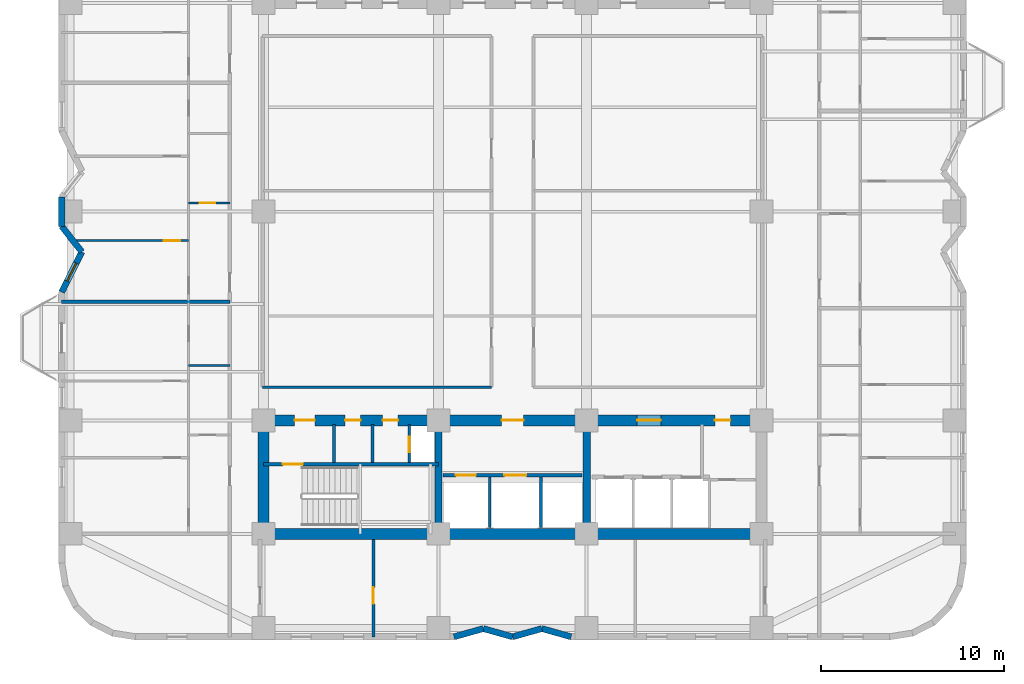
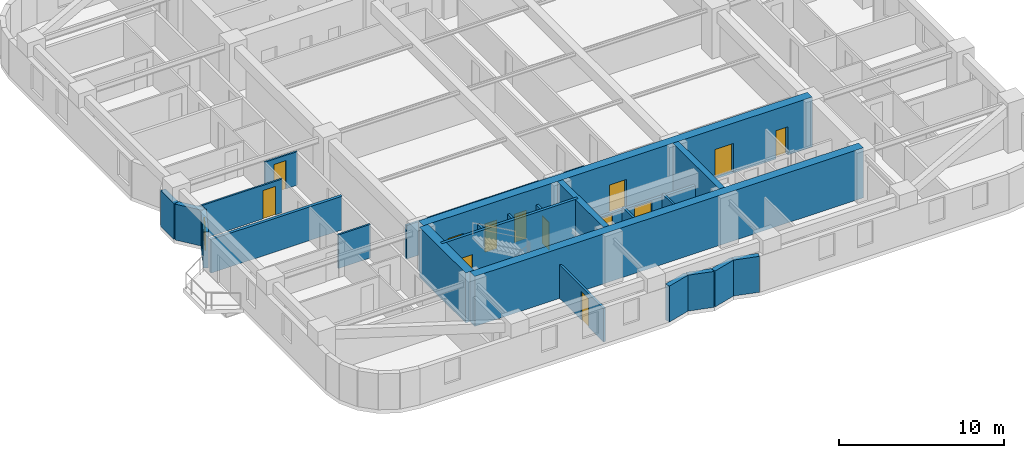
# One storey, part 3 of 10: 25 walls, 13 doors, 1 window, 14 openings.
"""IFC4 building model written with IfcOpenShell, lengths in metres."""

from ifc_helpers import new_model, si_unit, direction, frame, frame_2d, origin, place, context, subcontext, project, spatial, rectangle, extrude, material, layer, layer_set, type_object, element, fill, save


model = new_model("IFC4")

# Units and contexts
model_context = context("Model", 3, precision=1e-05, world=origin(), true_north=direction((0.0, 1.0)))
body_context = subcontext(model_context, "Body", "Model", "MODEL_VIEW")
ifc_project = project(units=[si_unit("LENGTHUNIT", "METRE"), si_unit("AREAUNIT", "SQUARE_METRE"), si_unit("VOLUMEUNIT", "CUBIC_METRE"), si_unit("PLANEANGLEUNIT", "RADIAN"), si_unit("MASSUNIT", "GRAM", prefix="KILO")], contexts=[model_context])

# Site, building, storey
site_placement = place(None, origin())
site = spatial("IfcSite", under=ifc_project, at=site_placement, CompositionType="ELEMENT")
building_placement = place(site_placement, origin())
building = spatial("IfcBuilding", under=site, at=building_placement, Name="Svetorya Sky Lyceum", CompositionType="ELEMENT")
storey_placement = place(building_placement, frame((0.0, 0.0, 73.199951171875)))
storey = spatial("IfcBuildingStorey", under=building, at=storey_placement, Name="L18", CompositionType="ELEMENT", Elevation=73.199951171875)

# Walls
ifc_material_1 = material(Name="Concrete C40/50", Category="concrete")
ifc_layer_1 = layer(ifc_material_1, 0.39990234375)
ifc_layer_set_1 = layer_set([ifc_layer_1], Name="Concrete C40/50")
wall_type_1 = type_object("IfcWallType", Name="WL-CORE-400", PredefinedType="SHEAR", material=ifc_layer_set_1)
for number, where, z_axis, x_axis, name in (
    (1, (35.14990234375, 10.89990234375, 0.0), (0.0, 0.0, 1.0), (0.0, 1.0, 0.0), "L18 SC Internal Shear Web WEB1"),
    (2, (43.25, 10.89990234375, 0.0), (0.0, 0.0, 1.0), (0.0, 1.0, 0.0), "L18 SC Internal Shear Web WEB2"),
):
    element("IfcWall", number, at=place(storey_placement, frame(where, z_axis=z_axis, x_axis=x_axis)), inside=storey, type_object=wall_type_1, Name=name, PredefinedType="SHEAR", context=body_context, shape_type="SweptSolid", body=[
        extrude(rectangle(XDim=5.60009765625, YDim=0.39990234375, at=frame_2d((2.800048828125, 0.0))), origin(), (0.0, 0.0, 1.0), 3.699951171875),
    ])
ifc_material_2 = material(Name="Concrete C60/75", Category="concrete")
ifc_layer_2 = layer(ifc_material_2, 0.60009765625)
ifc_layer_set_2 = layer_set([ifc_layer_2], Name="Concrete C60/75")
wall_type_2 = type_object("IfcWallType", Name="WL-CORE-600", PredefinedType="SHEAR", material=ifc_layer_set_2)
wall_1_placement = place(storey_placement, frame((52.800048828125, 10.60009765625, 0.0), z_axis=(0.0, 0.0, 1.0), x_axis=(-1.0, 0.0, 0.0)))
element("IfcWall", 3, at=wall_1_placement, inside=storey, type_object=wall_type_2, Name="L18 SC Outer Core Shear Wall", PredefinedType="SHEAR", context=body_context, shape_type="SweptSolid", body=[
    extrude(rectangle(XDim=27.199951171875, YDim=0.60009765625, at=frame_2d((13.60009765625, 0.0))), origin(), (0.0, 0.0, 1.0), 3.699951171875),
])
wall_2_placement = place(storey_placement, frame((25.60009765625, 10.89990234375, 0.0), z_axis=(0.0, 0.0, 1.0), x_axis=(0.0, 1.0, 0.0)))
element("IfcWall", 4, at=wall_2_placement, inside=storey, type_object=wall_type_2, Name="L18 SC West Core Shear Wall", PredefinedType="SHEAR", context=body_context, shape_type="SweptSolid", body=[
    extrude(rectangle(XDim=5.60009765625, YDim=0.60009765625, at=frame_2d((2.800048828125, 0.0))), origin(), (0.0, 0.0, 1.0), 3.699951171875),
])

# Wall, openings, doors
wall_3_placement = place(storey_placement, frame((25.60009765625, 16.800048828125, 0.0), z_axis=(0.0, 0.0, 1.0), x_axis=(1.0, 0.0, 0.0)))
wall_3 = element("IfcWall", 5, at=wall_3_placement, inside=storey, type_object=wall_type_2, Name="L18 SC Inner Core Shear Wall", PredefinedType="SHEAR", context=body_context, shape_type="SweptSolid", body=[
    extrude(rectangle(XDim=27.199951171875, YDim=0.60009765625, at=frame_2d((13.60009765625, 0.0))), origin(), (0.0, 0.0, 1.0), 3.699951171875),
])
opening_1_placement = place(wall_3_placement, frame((1.699951171875, 0.0, 0.0)))
opening_1 = element("IfcOpeningElement", 6, at=opening_1_placement, cuts=wall_3, Name="Opening D-ST1", PredefinedType="OPENING", context=body_context, shape_type="SweptSolid", body=[
    extrude(rectangle(XDim=1.10009765625, YDim=2.14990234375, at=frame_2d((0.550048828125, 1.074951171875))), frame((0.0, 0.31005859375, 0.0), z_axis=(0.0, -1.0, 0.0), x_axis=(1.0, 0.0, 0.0)), (0.0, 0.0, 1.0), 0.6201171875),
])
opening_2_placement = place(wall_3_placement, frame((4.449951171875, 0.0, 0.0)))
opening_2 = element("IfcOpeningElement", 7, at=opening_2_placement, cuts=wall_3, Name="Opening D-CWC1", PredefinedType="OPENING", context=body_context, shape_type="SweptSolid", body=[
    extrude(rectangle(XDim=0.85009765625, YDim=2.10009765625, at=frame_2d((0.425048828125, 1.050048828125))), frame((0.0, 0.31005859375, 0.0), z_axis=(0.0, -1.0, 0.0), x_axis=(1.0, 0.0, 0.0)), (0.0, 0.0, 1.0), 0.6201171875),
])
opening_3_placement = place(wall_3_placement, frame((6.5, 0.0, 0.0)))
opening_3 = element("IfcOpeningElement", 8, at=opening_3_placement, cuts=wall_3, Name="Opening D-CWC1", PredefinedType="OPENING", context=body_context, shape_type="SweptSolid", body=[
    extrude(rectangle(XDim=0.85009765625, YDim=2.10009765625, at=frame_2d((0.425048828125, 1.050048828125))), frame((0.0, 0.31005859375, 0.0), z_axis=(0.0, -1.0, 0.0), x_axis=(1.0, 0.0, 0.0)), (0.0, 0.0, 1.0), 0.6201171875),
])
opening_4_placement = place(wall_3_placement, frame((13.0, 0.0, 0.0)))
opening_4 = element("IfcOpeningElement", 9, at=opening_4_placement, cuts=wall_3, Name="Opening D-FL1", PredefinedType="OPENING", context=body_context, shape_type="SweptSolid", body=[
    extrude(rectangle(XDim=1.199951171875, YDim=2.14990234375, at=frame_2d((0.60009765625, 1.074951171875))), frame((0.0, 0.31005859375, 0.0), z_axis=(0.0, -1.0, 0.0), x_axis=(1.0, 0.0, 0.0)), (0.0, 0.0, 1.0), 0.6201171875),
])
opening_5_placement = place(wall_3_placement, frame((20.39990234375, 0.0, 0.0)))
opening_5 = element("IfcOpeningElement", 10, at=opening_5_placement, cuts=wall_3, Name="Opening D-LB1", PredefinedType="OPENING", context=body_context, shape_type="SweptSolid", body=[
    extrude(rectangle(XDim=1.300048828125, YDim=2.199951171875, at=frame_2d((0.64990234375, 1.10009765625))), frame((0.0, 0.31005859375, 0.0), z_axis=(0.0, -1.0, 0.0), x_axis=(1.0, 0.0, 0.0)), (0.0, 0.0, 1.0), 0.6201171875),
])
opening_6_placement = place(wall_3_placement, frame((24.64990234375, 0.0, 0.0)))
opening_6 = element("IfcOpeningElement", 11, at=opening_6_placement, cuts=wall_3, Name="Opening D-CWC1", PredefinedType="OPENING", context=body_context, shape_type="SweptSolid", body=[
    extrude(rectangle(XDim=0.85009765625, YDim=2.10009765625, at=frame_2d((0.425048828125, 1.050048828125))), frame((0.0, 0.31005859375, 0.0), z_axis=(0.0, -1.0, 0.0), x_axis=(1.0, 0.0, 0.0)), (0.0, 0.0, 1.0), 0.6201171875),
])
ifc_material_3 = material(Name="Fire-rated galvanized steel core service closet door", Category="steel")
door_type_1 = type_object("IfcDoorType", Name="DR-CWET-850", OperationType="SINGLE_SWING_LEFT", PredefinedType="DOOR", material=ifc_material_3)
door_1_placement = place(opening_2_placement, origin())
door_1 = element("IfcDoor", 12, at=door_1_placement, inside=storey, type_object=door_type_1, Name="L18 South Mop Closet Door", OperationType="SINGLE_SWING_LEFT", OverallHeight=2.10009765625, OverallWidth=0.85009765625, PredefinedType="DOOR", context=body_context, shape_type="SweptSolid", body=[
    extrude(rectangle(XDim=0.85009765625, YDim=2.10009765625, at=frame_2d((0.425048828125, 1.050048828125))), frame((0.0, 0.02490234375, 0.0), z_axis=(0.0, -1.0, 0.0), x_axis=(1.0, 0.0, 0.0)), (0.0, 0.0, 1.0), 0.050048828125),
])
fill(opening_2, door_1)
door_2_placement = place(opening_3_placement, origin())
door_2 = element("IfcDoor", 13, at=door_2_placement, inside=storey, type_object=door_type_1, Name="L18 South West WC Door", OperationType="SINGLE_SWING_RIGHT", OverallHeight=2.10009765625, OverallWidth=0.85009765625, PredefinedType="DOOR", context=body_context, shape_type="SweptSolid", body=[
    extrude(rectangle(XDim=0.85009765625, YDim=2.10009765625, at=frame_2d((0.425048828125, 1.050048828125))), frame((0.0, 0.02490234375, 0.0), z_axis=(0.0, -1.0, 0.0), x_axis=(1.0, 0.0, 0.0)), (0.0, 0.0, 1.0), 0.050048828125),
])
fill(opening_3, door_2)
door_3_placement = place(opening_6_placement, origin())
door_3 = element("IfcDoor", 14, at=door_3_placement, inside=storey, type_object=door_type_1, Name="L18 South Core Auxiliary Door", OperationType="SINGLE_SWING_LEFT", OverallHeight=2.10009765625, OverallWidth=0.85009765625, PredefinedType="DOOR", context=body_context, shape_type="SweptSolid", body=[
    extrude(rectangle(XDim=0.85009765625, YDim=2.10009765625, at=frame_2d((0.425048828125, 1.050048828125))), frame((0.0, 0.02490234375, 0.0), z_axis=(0.0, -1.0, 0.0), x_axis=(1.0, 0.0, 0.0)), (0.0, 0.0, 1.0), 0.050048828125),
])
fill(opening_6, door_3)
ifc_material_4 = material(Name="Powder-coated insulated galvanized stair fire door")
door_type_2 = type_object("IfcDoorType", Name="DR-FIRE-1100", OperationType="SINGLE_SWING_LEFT", PredefinedType="DOOR", material=ifc_material_4)
door_4_placement = place(opening_1_placement, origin())
door_4 = element("IfcDoor", 15, at=door_4_placement, inside=storey, type_object=door_type_2, Name="L18 South Stair Airlock Door", OperationType="SINGLE_SWING_RIGHT", OverallHeight=2.14990234375, OverallWidth=1.10009765625, PredefinedType="DOOR", context=body_context, shape_type="SweptSolid", body=[
    extrude(rectangle(XDim=1.10009765625, YDim=2.14990234375, at=frame_2d((0.550048828125, 1.074951171875))), frame((0.0, 0.02490234375, 0.0), z_axis=(0.0, -1.0, 0.0), x_axis=(1.0, 0.0, 0.0)), (0.0, 0.0, 1.0), 0.050048828125),
])
fill(opening_1, door_4)
ifc_material_5 = material(Name="Powder-coated insulated galvanized fire door")
door_type_3 = type_object("IfcDoorType", Name="DR-FIRE-1200", OperationType="SINGLE_SWING_LEFT", PredefinedType="DOOR", material=ifc_material_5)
door_5_placement = place(opening_4_placement, origin())
door_5 = element("IfcDoor", 16, at=door_5_placement, inside=storey, type_object=door_type_3, Name="L18 South Firefighting Lift Lobby Door", OperationType="SINGLE_SWING_LEFT", OverallHeight=2.14990234375, OverallWidth=1.199951171875, PredefinedType="DOOR", context=body_context, shape_type="SweptSolid", body=[
    extrude(rectangle(XDim=1.199951171875, YDim=2.14990234375, at=frame_2d((0.60009765625, 1.074951171875))), frame((0.0, 0.02490234375, 0.0), z_axis=(0.0, -1.0, 0.0), x_axis=(1.0, 0.0, 0.0)), (0.0, 0.0, 1.0), 0.050048828125),
])
fill(opening_4, door_5)
ifc_material_6 = material(Name="Glazed fire-rated aluminium lobby door", Category="aluminium")
door_type_4 = type_object("IfcDoorType", Name="DR-LOB-1300", OperationType="SINGLE_SWING_LEFT", PredefinedType="DOOR", material=ifc_material_6)
door_6_placement = place(opening_5_placement, origin())
door_6 = element("IfcDoor", 17, at=door_6_placement, inside=storey, type_object=door_type_4, Name="L18 Low-Rise Lift Lobby Door", OperationType="SINGLE_SWING_RIGHT", OverallHeight=2.199951171875, OverallWidth=1.300048828125, PredefinedType="DOOR", context=body_context, shape_type="SweptSolid", body=[
    extrude(rectangle(XDim=1.300048828125, YDim=2.199951171875, at=frame_2d((0.64990234375, 1.10009765625))), frame((0.0, 0.02490234375, 0.0), z_axis=(0.0, -1.0, 0.0), x_axis=(1.0, 0.0, 0.0)), (0.0, 0.0, 1.0), 0.050048828125),
])
fill(opening_5, door_6)

# Walls
ifc_material_7 = material(Name="Putilovo limestone rainscreen on autoclaved cellular masonry", Category="masonry")
ifc_layer_3 = layer(ifc_material_7, 0.340087890625)
ifc_layer_set_3 = layer_set([ifc_layer_3], Name="Putilovo limestone rainscreen on autoclaved cellular masonry")
wall_type_3 = type_object("IfcWallType", Name="WL-EXT-340", PredefinedType="SOLIDWALL", material=ifc_layer_set_3)
wall_4_placement = place(storey_placement, frame((36.0, 4.969970703125, 0.0), z_axis=(0.0, 0.0, 1.0), x_axis=(0.962662902433, 0.270703040766, 0.0)))
element("IfcWall", 18, at=wall_4_placement, inside=storey, type_object=wall_type_3, Name="L18 Limestone Exterior Wall 7M", PredefinedType="SOLIDWALL", context=body_context, shape_type="SweptSolid", body=[
    extrude(rectangle(XDim=1.662109375, YDim=0.340087890625, at=frame_2d((0.8310546875, 0.0))), origin(), (0.0, 0.0, 1.0), 2.66015625),
])
wall_5_placement = place(storey_placement, frame((37.60009765625, 5.419921875, 0.0), z_axis=(0.0, 0.0, 1.0), x_axis=(0.962652136636, -0.270741322725, 0.0)))
element("IfcWall", 19, at=wall_5_placement, inside=storey, type_object=wall_type_3, Name="L18 Limestone Exterior Wall 8M", PredefinedType="SOLIDWALL", context=body_context, shape_type="SweptSolid", body=[
    extrude(rectangle(XDim=1.661865234375, YDim=0.340087890625, at=frame_2d((0.8310546875, 0.0))), origin(), (0.0, 0.0, 1.0), 2.66015625),
])
wall_6_placement = place(storey_placement, frame((39.199951171875, 4.969970703125, 0.0), z_axis=(0.0, 0.0, 1.0), x_axis=(0.962662902433, 0.270703040766, 0.0)))
element("IfcWall", 20, at=wall_6_placement, inside=storey, type_object=wall_type_3, Name="L18 Limestone Exterior Wall 9M", PredefinedType="SOLIDWALL", context=body_context, shape_type="SweptSolid", body=[
    extrude(rectangle(XDim=1.662109375, YDim=0.340087890625, at=frame_2d((0.8310546875, 0.0))), origin(), (0.0, 0.0, 1.0), 2.66015625),
])
wall_7_placement = place(storey_placement, frame((40.800048828125, 5.419921875, 0.0), z_axis=(0.0, 0.0, 1.0), x_axis=(0.962652136636, -0.270741322725, 0.0)))
element("IfcWall", 21, at=wall_7_placement, inside=storey, type_object=wall_type_3, Name="L18 Limestone Exterior Wall 10M", PredefinedType="SOLIDWALL", context=body_context, shape_type="SweptSolid", body=[
    extrude(rectangle(XDim=1.661865234375, YDim=0.340087890625, at=frame_2d((0.8310546875, 0.0))), origin(), (0.0, 0.0, 1.0), 2.66015625),
])
wall_8_placement = place(storey_placement, frame((14.570068359375, 29.0, 0.0), z_axis=(0.0, 0.0, 1.0), x_axis=(0.0, -1.0, 0.0)))
element("IfcWall", 22, at=wall_8_placement, inside=storey, type_object=wall_type_3, Name="L18 Limestone Exterior Wall 43M", PredefinedType="SOLIDWALL", context=body_context, shape_type="SweptSolid", body=[
    extrude(rectangle(XDim=1.60009765625, YDim=0.340087890625, at=frame_2d((0.800048828125, 0.0))), origin(), (0.0, 0.0, 1.0), 2.66015625),
])
wall_9_placement = place(storey_placement, frame((14.570068359375, 27.39990234375, 0.0), z_axis=(0.0, 0.0, 1.0), x_axis=(0.617797325735, -0.786337373088, 0.0)))
element("IfcWall", 23, at=wall_9_placement, inside=storey, type_object=wall_type_3, Name="L18 Limestone Exterior Wall 44M", PredefinedType="SOLIDWALL", context=body_context, shape_type="SweptSolid", body=[
    extrude(rectangle(XDim=1.7802734375, YDim=0.340087890625, at=frame_2d((0.89013671875, 0.0))), origin(), (0.0, 0.0, 1.0), 2.66015625),
])

# Wall, opening, window
wall_10_placement = place(storey_placement, frame((15.669921875, 26.0, 0.0), z_axis=(0.0, 0.0, 1.0), x_axis=(-0.447173890385, -0.894447042456, 0.0)))
wall_10 = element("IfcWall", 24, at=wall_10_placement, inside=storey, type_object=wall_type_3, Name="L18 Limestone Exterior Wall 45M", PredefinedType="SOLIDWALL", context=body_context, shape_type="SweptSolid", body=[
    extrude(rectangle(XDim=2.45947265625, YDim=0.340087890625, at=frame_2d((1.229736328125, 0.0))), origin(), (0.0, 0.0, 1.0), 2.66015625),
])
opening_7_placement = place(wall_10_placement, frame((0.6796875, 0.0, 0.85009765625)))
opening_7 = element("IfcOpeningElement", 25, at=opening_7_placement, cuts=wall_10, Name="Opening W-R3", PredefinedType="OPENING", context=body_context, shape_type="SweptSolid", body=[
    extrude(rectangle(XDim=1.10009765625, YDim=1.64990234375, at=frame_2d((0.550048828125, 0.824951171875))), frame((0.0, 0.179931640625, 0.0), z_axis=(0.0, -1.0, 0.0), x_axis=(1.0, 0.0, 0.0)), (0.0, 0.0, 1.0), 0.360107421875),
])
ifc_material_8 = material(Name="Thermally broken aluminium frame with triple low-E glazing", Category="aluminium")
window_type = type_object("IfcWindowType", Name="WN-RES-110", PartitioningType="SINGLE_PANEL", PredefinedType="WINDOW", material=ifc_material_8)
window_placement = place(opening_7_placement, origin())
window = element("IfcWindow", 26, at=window_placement, inside=storey, type_object=window_type, Name="L18 Facade Window W-R3.45M.1", OverallHeight=1.64990234375, OverallWidth=1.10009765625, PartitioningType="SINGLE_PANEL", PredefinedType="WINDOW", context=body_context, shape_type="SweptSolid", body=[
    extrude(rectangle(XDim=1.10009765625, YDim=1.64990234375, at=frame_2d((0.550048828125, 0.824951171875))), frame((0.0, 0.030029296875, 0.0), z_axis=(0.0, -1.0, 0.0), x_axis=(1.0, 0.0, 0.0)), (0.0, 0.0, 1.0), 0.06005859375),
])
fill(opening_7, window)

# Wall
ifc_material_9 = material(Name="Twin-stud galvanized framing with double fireboard", Category="gypsum")
ifc_layer_4 = layer(ifc_material_9, 0.1201171875)
ifc_layer_set_4 = layer_set([ifc_layer_4], Name="Twin-stud galvanized framing with double fireboard")
wall_type_4 = type_object("IfcWallType", Name="WL-PART-120", PredefinedType="PARTITIONING", material=ifc_layer_set_4)
wall_11_placement = place(storey_placement, frame((21.5, 19.800048828125, 0.0), z_axis=(0.0, 0.0, 1.0), x_axis=(1.0, 0.0, 0.0)))
element("IfcWall", 27, at=wall_11_placement, inside=storey, type_object=wall_type_4, Name="L18 Interior Partition W1-WH2", PredefinedType="PARTITIONING", context=body_context, shape_type="SweptSolid", body=[
    extrude(rectangle(XDim=2.25, YDim=0.1201171875, at=frame_2d((1.125, 0.0))), origin(), (0.0, 0.0, 1.0), 2.489990234375),
])

# Wall, opening, door
wall_12_placement = place(storey_placement, frame((21.5, 28.672119140625, 0.0), z_axis=(0.0, 0.0, 1.0), x_axis=(1.0, 0.0, 0.0)))
wall_12 = element("IfcWall", 28, at=wall_12_placement, inside=storey, type_object=wall_type_4, Name="L18 Interior Partition W2-WH1", PredefinedType="PARTITIONING", context=body_context, shape_type="SweptSolid", body=[
    extrude(rectangle(XDim=2.25, YDim=0.1201171875, at=frame_2d((1.125, 0.0))), origin(), (0.0, 0.0, 1.0), 2.489990234375),
])
opening_8_placement = place(wall_12_placement, frame((0.60009765625, 0.0, 0.0)))
opening_8 = element("IfcOpeningElement", 29, at=opening_8_placement, cuts=wall_12, Name="Opening D-BT1", PredefinedType="OPENING", context=body_context, shape_type="SweptSolid", body=[
    extrude(rectangle(XDim=0.85009765625, YDim=2.10009765625, at=frame_2d((0.425048828125, 1.050048828125))), frame((0.0, 0.070068359375, 0.0), z_axis=(0.0, -1.0, 0.0), x_axis=(1.0, 0.0, 0.0)), (0.0, 0.0, 1.0), 0.14013671875),
])
ifc_material_10 = material(Name="Moisture-resistant laminate bathroom door")
door_type_5 = type_object("IfcDoorType", Name="DR-WET-850", OperationType="SINGLE_SWING_LEFT", PredefinedType="DOOR", material=ifc_material_10)
door_7_placement = place(opening_8_placement, origin())
door_7 = element("IfcDoor", 30, at=door_7_placement, inside=storey, type_object=door_type_5, Name="Apartment W2 Bathroom Door", OperationType="SINGLE_SWING_RIGHT", OverallHeight=2.10009765625, OverallWidth=0.85009765625, PredefinedType="DOOR", context=body_context, shape_type="SweptSolid", body=[
    extrude(rectangle(XDim=0.85009765625, YDim=2.10009765625, at=frame_2d((0.425048828125, 1.050048828125))), frame((0.0, 0.02490234375, 0.0), z_axis=(0.0, -1.0, 0.0), x_axis=(1.0, 0.0, 0.0)), (0.0, 0.0, 1.0), 0.050048828125),
])
fill(opening_8, door_7)

wall_13_placement = place(storey_placement, frame((15.181396484375, 26.6220703125, 0.0), z_axis=(0.0, 0.0, 1.0), x_axis=(1.0, 0.0, 0.0)))
wall_13 = element("IfcWall", 31, at=wall_13_placement, inside=storey, type_object=wall_type_4, Name="L18 Interior Partition W2-WL1", PredefinedType="PARTITIONING", context=body_context, shape_type="SweptSolid", body=[
    extrude(rectangle(XDim=6.318603515625, YDim=0.1201171875, at=frame_2d((3.1591796875, 0.0))), origin(), (0.0, 0.0, 1.0), 2.489990234375),
])
opening_9_placement = place(wall_13_placement, frame((4.96875, 0.0, 0.0)))
opening_9 = element("IfcOpeningElement", 32, at=opening_9_placement, cuts=wall_13, Name="Opening D-RM1", PredefinedType="OPENING", context=body_context, shape_type="SweptSolid", body=[
    extrude(rectangle(XDim=0.89990234375, YDim=2.10009765625, at=frame_2d((0.449951171875, 1.050048828125))), frame((0.0, 0.070068359375, 0.0), z_axis=(0.0, -1.0, 0.0), x_axis=(1.0, 0.0, 0.0)), (0.0, 0.0, 1.0), 0.14013671875),
])
ifc_material_11 = material(Name="Lacquered birch veneer internal door")
door_type_6 = type_object("IfcDoorType", Name="DR-INT-900", OperationType="SINGLE_SWING_LEFT", PredefinedType="DOOR", material=ifc_material_11)
door_8_placement = place(opening_9_placement, origin())
door_8 = element("IfcDoor", 33, at=door_8_placement, inside=storey, type_object=door_type_6, Name="Apartment W2 Master Bedroom Door", OperationType="SINGLE_SWING_RIGHT", OverallHeight=2.10009765625, OverallWidth=0.89990234375, PredefinedType="DOOR", context=body_context, shape_type="SweptSolid", body=[
    extrude(rectangle(XDim=0.89990234375, YDim=2.10009765625, at=frame_2d((0.449951171875, 1.050048828125))), frame((0.0, 0.02490234375, 0.0), z_axis=(0.0, -1.0, 0.0), x_axis=(1.0, 0.0, 0.0)), (0.0, 0.0, 1.0), 0.050048828125),
])
fill(opening_9, door_8)

# Walls
ifc_material_12 = material(Name="Autoclaved cellular masonry blockwork with acoustic render", Category="masonry")
ifc_layer_5 = layer(ifc_material_12, 0.14990234375)
ifc_layer_set_5 = layer_set([ifc_layer_5], Name="Autoclaved cellular masonry blockwork with acoustic render")
wall_type_5 = type_object("IfcWallType", Name="WL-PART-150", PredefinedType="PARTITIONING", material=ifc_layer_set_5)
for number, where, z_axis, x_axis, name in (
    (34, (29.449951171875, 14.5, 0.0), (0.0, 0.0, 1.0), (0.0, 1.0, 0.0), "L18 Interior Partition SC-SWD1"),
    (35, (31.550048828125, 14.5, 0.0), (0.0, 0.0, 1.0), (0.0, 1.0, 0.0), "L18 Interior Partition SC-SWD2"),
):
    element("IfcWall", number, at=place(storey_placement, frame(where, z_axis=z_axis, x_axis=x_axis)), inside=storey, type_object=wall_type_5, Name=name, PredefinedType="PARTITIONING", context=body_context, shape_type="SweptSolid", body=[
        extrude(rectangle(XDim=2.080078125, YDim=0.14990234375, at=frame_2d((1.0400390625, 0.0))), origin(), (0.0, 0.0, 1.0), 2.489990234375),
    ])

# Wall, opening, door
wall_14_placement = place(storey_placement, frame((33.550048828125, 14.5, 0.0), z_axis=(0.0, 0.0, 1.0), x_axis=(0.0, 1.0, 0.0)))
wall_14 = element("IfcWall", 36, at=wall_14_placement, inside=storey, type_object=wall_type_5, Name="L18 Interior Partition SC-SWD3", PredefinedType="PARTITIONING", context=body_context, shape_type="SweptSolid", body=[
    extrude(rectangle(XDim=2.080078125, YDim=0.14990234375, at=frame_2d((1.0400390625, 0.0))), origin(), (0.0, 0.0, 1.0), 2.489990234375),
])
opening_10_placement = place(wall_14_placement, frame((0.550048828125, 0.0, 0.0)))
opening_10 = element("IfcOpeningElement", 37, at=opening_10_placement, cuts=wall_14, Name="Opening D-SH1", PredefinedType="OPENING", context=body_context, shape_type="SweptSolid", body=[
    extrude(rectangle(XDim=0.85009765625, YDim=2.050048828125, at=frame_2d((0.425048828125, 1.02490234375))), frame((0.0, 0.0849609375, 0.0), z_axis=(0.0, -1.0, 0.0), x_axis=(1.0, 0.0, 0.0)), (0.0, 0.0, 1.0), 0.169921875),
])
ifc_material_13 = material(Name="Insulated galvanized riser inspection fire door")
door_type_7 = type_object("IfcDoorType", Name="DR-SHFT-850", OperationType="SINGLE_SWING_LEFT", PredefinedType="TRAPDOOR", material=ifc_material_13)
door_9_placement = place(opening_10_placement, origin())
door_9 = element("IfcDoor", 38, at=door_9_placement, inside=storey, type_object=door_type_7, Name="L18 South Riser Access Door", OperationType="SINGLE_SWING_RIGHT", OverallHeight=2.050048828125, OverallWidth=0.85009765625, PredefinedType="TRAPDOOR", context=body_context, shape_type="SweptSolid", body=[
    extrude(rectangle(XDim=0.85009765625, YDim=2.050048828125, at=frame_2d((0.425048828125, 1.02490234375))), frame((0.0, 0.02490234375, 0.0), z_axis=(0.0, -1.0, 0.0), x_axis=(1.0, 0.0, 0.0)), (0.0, 0.0, 1.0), 0.050048828125),
])
fill(opening_10, door_9)

# Walls
for number, where, z_axis, x_axis, name in (
    (39, (37.949951171875, 10.949951171875, 0.0), (0.0, 0.0, 1.0), (0.0, 1.0, 0.0), "L18 Interior Partition SC-SHD1"),
    (40, (40.75, 10.949951171875, 0.0), (0.0, 0.0, 1.0), (0.0, 1.0, 0.0), "L18 Interior Partition SC-SHD2"),
):
    element("IfcWall", number, at=place(storey_placement, frame(where, z_axis=z_axis, x_axis=x_axis)), inside=storey, type_object=wall_type_5, Name=name, PredefinedType="PARTITIONING", context=body_context, shape_type="SweptSolid", body=[
        extrude(rectangle(XDim=2.75, YDim=0.14990234375, at=frame_2d((1.375, 0.0))), origin(), (0.0, 0.0, 1.0), 2.489990234375),
    ])
wall_15_placement = place(storey_placement, frame((25.550048828125, 18.60009765625, 0.0), z_axis=(0.0, 0.0, 1.0), x_axis=(1.0, 0.0, 0.0)))
element("IfcWall", 41, at=wall_15_placement, inside=storey, type_object=wall_type_5, Name="L18 Interior Partition CS-MID-W", PredefinedType="PARTITIONING", context=body_context, shape_type="SweptSolid", body=[
    extrude(rectangle(XDim=12.5, YDim=0.14990234375, at=frame_2d((6.25, 0.0))), origin(), (0.0, 0.0, 1.0), 2.489990234375),
])

# Wall, opening, door
wall_16_placement = place(storey_placement, frame((31.60009765625, 4.969970703125, 0.0), z_axis=(0.0, 0.0, 1.0), x_axis=(0.0, 1.0, 0.0)))
wall_16 = element("IfcWall", 42, at=wall_16_placement, inside=storey, type_object=wall_type_5, Name="L18 Interior Partition S-D1", PredefinedType="PARTITIONING", context=body_context, shape_type="SweptSolid", body=[
    extrude(rectangle(XDim=5.330078125, YDim=0.14990234375, at=frame_2d((2.6650390625, 0.0))), origin(), (0.0, 0.0, 1.0), 2.489990234375),
])
opening_11_placement = place(wall_16_placement, frame((1.800048828125, 0.0, 0.0)))
opening_11 = element("IfcOpeningElement", 43, at=opening_11_placement, cuts=wall_16, Name="Opening D-RM1", PredefinedType="OPENING", context=body_context, shape_type="SweptSolid", body=[
    extrude(rectangle(XDim=0.89990234375, YDim=2.10009765625, at=frame_2d((0.449951171875, 1.050048828125))), frame((0.0, 0.0849609375, 0.0), z_axis=(0.0, -1.0, 0.0), x_axis=(1.0, 0.0, 0.0)), (0.0, 0.0, 1.0), 0.169921875),
])
door_10_placement = place(opening_11_placement, origin())
door_10 = element("IfcDoor", 44, at=door_10_placement, inside=storey, type_object=door_type_6, Name="L18 South Store Door", OperationType="SINGLE_SWING_LEFT", OverallHeight=2.10009765625, OverallWidth=0.89990234375, PredefinedType="DOOR", context=body_context, shape_type="SweptSolid", body=[
    extrude(rectangle(XDim=0.89990234375, YDim=2.10009765625, at=frame_2d((0.449951171875, 1.050048828125))), frame((0.0, 0.02490234375, 0.0), z_axis=(0.0, -1.0, 0.0), x_axis=(1.0, 0.0, 0.0)), (0.0, 0.0, 1.0), 0.050048828125),
])
fill(opening_11, door_10)

# Wall, openings, doors
ifc_material_14 = material(Name="Autoclaved cellular masonry blockwork with gypsum plaster", Category="masonry")
ifc_layer_6 = layer(ifc_material_14, 0.199951171875)
ifc_layer_set_6 = layer_set([ifc_layer_6], Name="Autoclaved cellular masonry blockwork with gypsum plaster")
wall_type_6 = type_object("IfcWallType", Name="WL-PART-200", PredefinedType="PARTITIONING", material=ifc_layer_set_6)
wall_17_placement = place(storey_placement, frame((35.39990234375, 13.800048828125, 0.0), z_axis=(0.0, 0.0, 1.0), x_axis=(1.0, 0.0, 0.0)))
wall_17 = element("IfcWall", 45, at=wall_17_placement, inside=storey, type_object=wall_type_6, Name="L18 Interior Partition SC-FLW", PredefinedType="PARTITIONING", context=body_context, shape_type="SweptSolid", body=[
    extrude(rectangle(XDim=7.60009765625, YDim=0.199951171875, at=frame_2d((3.800048828125, 0.0))), origin(), (0.0, 0.0, 1.0), 2.260009765625),
])
opening_12_placement = place(wall_17_placement, frame((0.699951171875, 0.0, 0.0)))
opening_12 = element("IfcOpeningElement", 46, at=opening_12_placement, cuts=wall_17, Name="Opening LD-FL", PredefinedType="OPENING", context=body_context, shape_type="SweptSolid", body=[
    extrude(rectangle(XDim=1.10009765625, YDim=2.14990234375, at=frame_2d((0.550048828125, 1.074951171875))), frame((0.0, 0.10986328125, 0.0), z_axis=(0.0, -1.0, 0.0), x_axis=(1.0, 0.0, 0.0)), (0.0, 0.0, 1.0), 0.219970703125),
])
opening_13_placement = place(wall_17_placement, frame((3.35009765625, 0.0, 0.0)))
opening_13 = element("IfcOpeningElement", 47, at=opening_13_placement, cuts=wall_17, Name="Opening LD-SV", PredefinedType="OPENING", context=body_context, shape_type="SweptSolid", body=[
    extrude(rectangle(XDim=1.199951171875, YDim=2.14990234375, at=frame_2d((0.60009765625, 1.074951171875))), frame((0.0, 0.10986328125, 0.0), z_axis=(0.0, -1.0, 0.0), x_axis=(1.0, 0.0, 0.0)), (0.0, 0.0, 1.0), 0.219970703125),
])
ifc_material_15 = material(Name="Fire-rated stainless AISI 304 firefighting lift landing door")
door_type_8 = type_object("IfcDoorType", Name="DR-LIFT-1100", OperationType="SLIDING_TO_LEFT", PredefinedType="DOOR", material=ifc_material_15)
door_11_placement = place(opening_12_placement, origin())
door_11 = element("IfcDoor", 48, at=door_11_placement, inside=storey, type_object=door_type_8, Name="L18 Firefighting Lift FL2 Landing Door", OperationType="SLIDING_TO_LEFT", OverallHeight=2.14990234375, OverallWidth=1.10009765625, PredefinedType="DOOR", context=body_context, shape_type="SweptSolid", body=[
    extrude(rectangle(XDim=1.10009765625, YDim=2.14990234375, at=frame_2d((0.550048828125, 1.074951171875))), frame((0.0, 0.02490234375, 0.0), z_axis=(0.0, -1.0, 0.0), x_axis=(1.0, 0.0, 0.0)), (0.0, 0.0, 1.0), 0.050048828125),
])
fill(opening_12, door_11)
ifc_material_16 = material(Name="Brushed stainless AISI 304 telescopic lift landing door")
door_type_9 = type_object("IfcDoorType", Name="DR-LIFT-1200", OperationType="SLIDING_TO_LEFT", PredefinedType="DOOR", material=ifc_material_16)
door_12_placement = place(opening_13_placement, origin())
door_12 = element("IfcDoor", 49, at=door_12_placement, inside=storey, type_object=door_type_9, Name="L18 Service Lift SVL1 Landing Door", OperationType="SLIDING_TO_LEFT", OverallHeight=2.14990234375, OverallWidth=1.199951171875, PredefinedType="DOOR", context=body_context, shape_type="SweptSolid", body=[
    extrude(rectangle(XDim=1.199951171875, YDim=2.14990234375, at=frame_2d((0.60009765625, 1.074951171875))), frame((0.0, 0.02490234375, 0.0), z_axis=(0.0, -1.0, 0.0), x_axis=(1.0, 0.0, 0.0)), (0.0, 0.0, 1.0), 0.050048828125),
])
fill(opening_13, door_12)

# Wall
wall_18_placement = place(storey_placement, frame((14.570068359375, 23.27197265625, 0.0), z_axis=(0.0, 0.0, 1.0), x_axis=(1.0, 0.0, 0.0)))
element("IfcWall", 50, at=wall_18_placement, inside=storey, type_object=wall_type_6, Name="L18 Interior Partition W-PARTY-1", PredefinedType="PARTITIONING", context=body_context, shape_type="SweptSolid", body=[
    extrude(rectangle(XDim=9.179931640625, YDim=0.199951171875, at=frame_2d((4.58984375, 0.0))), origin(), (0.0, 0.0, 1.0), 2.489990234375),
])

# Wall, opening, door
ifc_material_17 = material(Name="Concrete C50/60", Category="concrete")
ifc_layer_7 = layer(ifc_material_17, 0.199951171875)
ifc_layer_set_7 = layer_set([ifc_layer_7], Name="Concrete C50/60")
wall_type_7 = type_object("IfcWallType", Name="WL-SHW-200", PredefinedType="SHEAR", material=ifc_layer_set_7)
wall_19_placement = place(storey_placement, frame((25.60009765625, 14.39990234375, 0.0), z_axis=(0.0, 0.0, 1.0), x_axis=(1.0, 0.0, 0.0)))
wall_19 = element("IfcWall", 51, at=wall_19_placement, inside=storey, type_object=wall_type_7, Name="L18 Structural Stair Shaft Wall SC-STW", PredefinedType="SHEAR", context=body_context, shape_type="SweptSolid", body=[
    extrude(rectangle(XDim=9.5498046875, YDim=0.199951171875, at=frame_2d((4.77490234375, 0.0))), origin(), (0.0, 0.0, 1.0), 3.699951171875),
])
opening_14_placement = place(wall_19_placement, frame((1.050048828125, 0.0, 0.0)))
opening_14 = element("IfcOpeningElement", 52, at=opening_14_placement, cuts=wall_19, Name="Opening D-ST1", PredefinedType="OPENING", context=body_context, shape_type="SweptSolid", body=[
    extrude(rectangle(XDim=1.10009765625, YDim=2.14990234375, at=frame_2d((0.550048828125, 1.074951171875))), frame((0.0, 0.10986328125, 0.0), z_axis=(0.0, -1.0, 0.0), x_axis=(1.0, 0.0, 0.0)), (0.0, 0.0, 1.0), 0.219970703125),
])
door_13_placement = place(opening_14_placement, origin())
door_13 = element("IfcDoor", 53, at=door_13_placement, inside=storey, type_object=door_type_2, Name="L18 Stair ST-S Vestibule Fire Door", OperationType="SINGLE_SWING_LEFT", OverallHeight=2.14990234375, OverallWidth=1.10009765625, PredefinedType="DOOR", context=body_context, shape_type="SweptSolid", body=[
    extrude(rectangle(XDim=1.10009765625, YDim=2.14990234375, at=frame_2d((0.550048828125, 1.074951171875))), frame((0.0, 0.02490234375, 0.0), z_axis=(0.0, -1.0, 0.0), x_axis=(1.0, 0.0, 0.0)), (0.0, 0.0, 1.0), 0.050048828125),
])
fill(opening_14, door_13)

save(model, "model.ifc")
